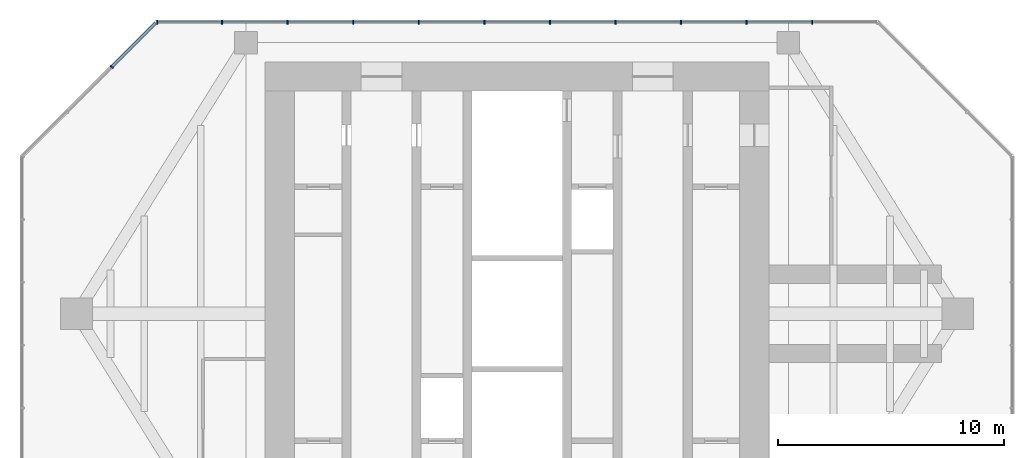
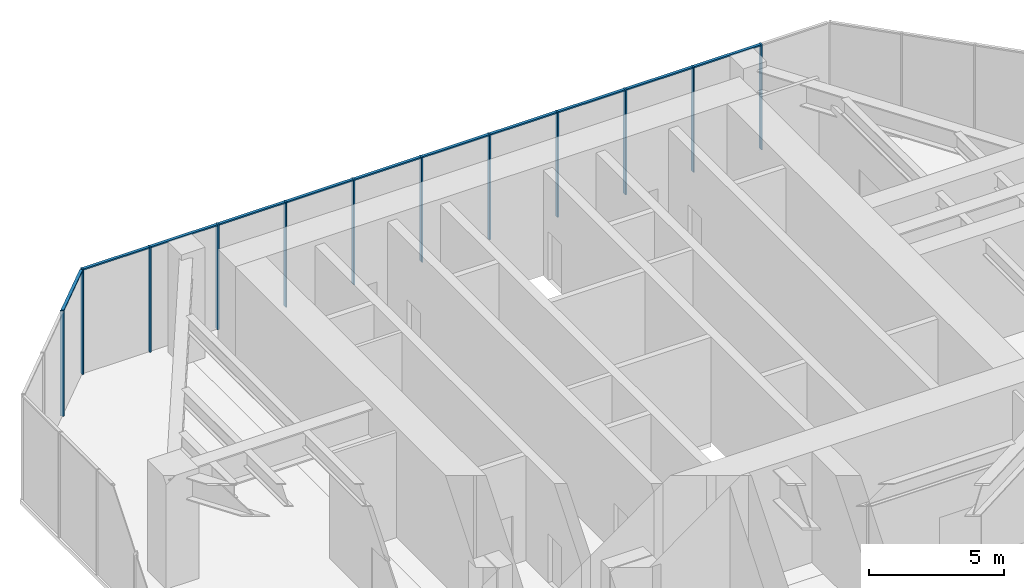
# One storey, part 6 of 10: 23 members, 2 elements without a shape of their own.
"""IFC4 building model written with IfcOpenShell, lengths in metres."""

import ifcopenshell
import ifcopenshell.guid

model = None  # the IFC model being written
_history = None  # IfcOwnerHistory: only IFC2X3 demands one
_inside = {}  # id of a spatial element -> (the spatial element, [elements in it])
_under = {}  # id of a project, library or spatial element -> (it, [spatial elements below it])
_declared = {}  # id of a project -> (the project, [libraries it declares])
_typed = {}  # id of a type object -> (the type object, [elements of that type])
_made_of = {}  # id of a material, layer set ... -> (it, [elements and type objects made of it])


def new_model(schema):
    """Start an empty IFC model of exactly this schema.

    Asked for "IFC4X3", IfcOpenShell would pick the latest addendum, in which some entities
    have other attributes; the version numbers below select the first issue.
    IFC2X3 requires an IfcOwnerHistory on every rooted entity: one is made here for all.
    """
    global model, _history
    if schema == "IFC4X3":
        model = ifcopenshell.file(schema_version=(4, 3, 0, 0))
    else:
        model = ifcopenshell.file(schema=schema)
    _inside.clear()
    _under.clear()
    _declared.clear()
    _typed.clear()
    _made_of.clear()
    _history = None
    if model.schema == "IFC2X3":
        org = make("IfcOrganization", Name="unknown")
        user = make(
            "IfcPersonAndOrganization",
            ThePerson=make("IfcPerson", FamilyName="unknown"),
            TheOrganization=org,
        )
        app = make(
            "IfcApplication",
            ApplicationDeveloper=org,
            Version="unknown",
            ApplicationFullName="unknown",
            ApplicationIdentifier="unknown",
        )
        _history = make(
            "IfcOwnerHistory",
            OwningUser=user,
            OwningApplication=app,
            ChangeAction="ADDED",
            CreationDate=0,
        )
    return model


def make(cls, **values):
    """One entity of the class cls with the attributes given. An attribute that is None is left unset."""
    return model.create_entity(
        cls, **{name: value for name, value in values.items() if value is not None}
    )


def rooted(cls, **values):
    """An entity with a GlobalId (a new one), such as an element, a storey or a relation."""
    return make(cls, GlobalId=ifcopenshell.guid.new(), OwnerHistory=_history, **values)


def si_unit(unit_type, name, prefix=None):
    """IfcSIUnit, for example si_unit("LENGTHUNIT", "METRE", prefix="MILLI")."""
    return make("IfcSIUnit", UnitType=unit_type, Prefix=prefix, Name=name)


def assignment(units):
    """IfcUnitAssignment: the units of a project."""
    return None if units is None else make("IfcUnitAssignment", Units=units)


def point(xyz):
    """IfcCartesianPoint."""
    return None if xyz is None else make("IfcCartesianPoint", Coordinates=xyz)


def direction(xyz):
    """IfcDirection."""
    return None if xyz is None else make("IfcDirection", DirectionRatios=xyz)


def frame(location, z_axis=None, x_axis=None):
    """IfcAxis2Placement3D, a coordinate frame: its origin and axes. An axis left out is left unset."""
    return make(
        "IfcAxis2Placement3D",
        Location=point(location),
        Axis=direction(z_axis),
        RefDirection=direction(x_axis),
    )


def frame_2d(location, x_axis=None):
    """IfcAxis2Placement2D, a coordinate frame in the plane: its origin and x axis."""
    return make(
        "IfcAxis2Placement2D", Location=point(location), RefDirection=direction(x_axis)
    )


def origin():
    """The frame at (0, 0, 0) with its axes left unset."""
    return frame((0.0, 0.0, 0.0))


def origin_2d():
    """The frame at (0, 0) in the plane with its x axis left unset."""
    return frame_2d((0.0, 0.0))


def place(relative_to, where):
    """IfcLocalPlacement: puts the frame where relative to a parent placement (None: the world)."""
    return make(
        "IfcLocalPlacement", PlacementRelTo=relative_to, RelativePlacement=where
    )


def context(
    kind, dimensions, precision=None, world=None, true_north=None, identifier=None
):
    """IfcGeometricRepresentationContext, for example the 3D "Model" context."""
    return make(
        "IfcGeometricRepresentationContext",
        ContextIdentifier=identifier,
        ContextType=kind,
        CoordinateSpaceDimension=dimensions,
        Precision=precision,
        WorldCoordinateSystem=world,
        TrueNorth=true_north,
    )


def subcontext(parent, identifier, kind, view, scale=None):
    """IfcGeometricRepresentationSubContext, for example "Body" below "Model"."""
    return make(
        "IfcGeometricRepresentationSubContext",
        ContextIdentifier=identifier,
        ContextType=kind,
        ParentContext=parent,
        TargetScale=scale,
        TargetView=view,
    )


def project(units=None, contexts=None):
    """IfcProject with its units and contexts."""
    return rooted(
        "IfcProject",
        Name="project",
        RepresentationContexts=contexts,
        UnitsInContext=assignment(units),
    )


def spatial(cls, under=None, at=None, **own):
    """A site, building, storey or space (cls), placed at a placement, below another one or the project."""
    s = rooted(cls, ObjectPlacement=at, **own)
    if under is not None:
        _under.setdefault(under.id(), (under, []))[1].append(s)
    return s


def profile(cls, at=None, kind="AREA", **sizes):
    """A parametric profile (cls). Its sizes go by their IFC names, for example OverallWidth=200.0."""
    return make(cls, ProfileType=kind, Position=at, **sizes)


def rectangle(**sizes):
    """IfcRectangleProfileDef."""
    return profile("IfcRectangleProfileDef", **sizes)


def extrude(swept, where, along, depth):
    """IfcExtrudedAreaSolid: the profile swept, set in the frame where, extruded along a direction by depth."""
    return make(
        "IfcExtrudedAreaSolid",
        SweptArea=swept,
        Position=where,
        ExtrudedDirection=direction(along),
        Depth=depth,
    )


def shape(context_of_items, identifier, shape_type, items):
    """IfcShapeRepresentation: the items that make up one representation, for example the "Body"."""
    return make(
        "IfcShapeRepresentation",
        ContextOfItems=context_of_items,
        RepresentationIdentifier=identifier,
        RepresentationType=shape_type,
        Items=items,
    )


def material(Name=None, Category=None):
    """IfcMaterial."""
    return make("IfcMaterial", Name=Name, Category=Category)


def material_profile(
    of_material, cross_section, Name=None, Category=None, Priority=None
):
    """IfcMaterialProfile: a cross section and its material."""
    return make(
        "IfcMaterialProfile",
        Name=Name,
        Material=of_material,
        Profile=cross_section,
        Priority=Priority,
        Category=Category,
    )


def profile_set(profiles, Name=None, composite=None):
    """IfcMaterialProfileSet."""
    return make(
        "IfcMaterialProfileSet",
        Name=Name,
        MaterialProfiles=profiles,
        CompositeProfile=composite,
    )


def made_of(thing, what):
    """Note that an element or type object is made of a material, layer set ...; save() writes the relation."""
    if what is not None:
        _made_of.setdefault(what.id(), (what, []))[1].append(thing)
    return thing


def type_object(cls, material=None, **own):
    """A type object (cls), such as IfcWallType, which elements share."""
    return made_of(rooted(cls, **own), material)


def element(
    cls,
    number,
    at=None,
    inside=None,
    cuts=None,
    type_object=None,
    material=None,
    context=None,
    identifier="Body",
    shape_type=None,
    held_by="IfcProductDefinitionShape",
    body=None,
    shapes=None,
    **own,
):
    """One element of the class cls, such as IfcWall. Its Tag is "e" and its number.

    at: its placement. inside: the storey or other place that contains it. cuts: it is an
    opening in that element (IfcRelVoidsElement). A single representation is given by context,
    identifier, shape_type and body (its items); several are given by shapes. held_by: the class
    of the entity that holds the representations. save() writes the other relations.
    """
    e = rooted(cls, Tag="e%d" % number, ObjectPlacement=at, **own)
    if body is not None:
        shapes = [shape(context, identifier, shape_type, body)]
    if shapes is not None:
        e.Representation = make(held_by, Representations=shapes)
    if inside is not None:
        _inside.setdefault(inside.id(), (inside, []))[1].append(e)
    if cuts is not None:
        rooted(
            "IfcRelVoidsElement", RelatingBuildingElement=cuts, RelatedOpeningElement=e
        )
    if type_object is not None:
        _typed.setdefault(type_object.id(), (type_object, []))[1].append(e)
    return made_of(e, material)


def aggregate(whole, parts):
    """IfcRelAggregates: a whole, such as a stair, and the parts it consists of."""
    return rooted("IfcRelAggregates", RelatingObject=whole, RelatedObjects=parts)


def save(model, path):
    """Write the relations noted so far, then the file.

    IfcRelAggregates (storeys below a building ...), IfcRelContainedInSpatialStructure (elements
    in a storey), IfcRelDefinesByType, IfcRelAssociatesMaterial and IfcRelDeclares: one each for
    every whole, place, type object, material and project.
    """
    for whole, parts in _under.values():
        aggregate(whole, parts)
    for where, things in _inside.values():
        rooted(
            "IfcRelContainedInSpatialStructure",
            RelatedElements=things,
            RelatingStructure=where,
        )
    for kind, things in _typed.values():
        rooted("IfcRelDefinesByType", RelatedObjects=things, RelatingType=kind)
    for what, things in _made_of.values():
        rooted("IfcRelAssociatesMaterial", RelatedObjects=things, RelatingMaterial=what)
    for by, libraries in _declared.values():
        rooted("IfcRelDeclares", RelatingContext=by, RelatedDefinitions=libraries)
    model.write(path)


model = new_model("IFC4")

# Units and contexts
model_context = context("Model", 3, precision=1e-05, world=origin(), true_north=direction((0.0, 1.0)))
body_context = subcontext(model_context, "Body", "Model", "MODEL_VIEW")
ifc_project = project(units=[si_unit("LENGTHUNIT", "METRE"), si_unit("AREAUNIT", "SQUARE_METRE"), si_unit("VOLUMEUNIT", "CUBIC_METRE"), si_unit("PLANEANGLEUNIT", "RADIAN"), si_unit("MASSUNIT", "GRAM", prefix="KILO")], contexts=[model_context])

# Site, building, storey
site_placement = place(None, origin())
site = spatial("IfcSite", under=ifc_project, at=site_placement, CompositionType="ELEMENT")
building_placement = place(site_placement, origin())
building = spatial("IfcBuilding", under=site, at=building_placement, Name="Mizan Broadcast Tower", CompositionType="ELEMENT")
storey_placement = place(building_placement, frame((0.0, 0.0, 311.300048828125)))
storey = spatial("IfcBuildingStorey", under=building, at=storey_placement, Name="L74", CompositionType="ELEMENT", Elevation=311.300048828125)

# Curtain wall, members
ifc_material_1 = material(Name="Aluminium framed glazing", Category="aluminium")
curtain_wall_type = type_object("IfcCurtainWallType", Name="LANTERN", PredefinedType="USERDEFINED", material=ifc_material_1)
curtain_wall_1_placement = place(storey_placement, origin())
curtain_wall_1 = element("IfcCurtainWall", 1, at=curtain_wall_1_placement, inside=storey, type_object=curtain_wall_type, Name="Lantern L74 N end", ObjectType="LANTERN", PredefinedType="USERDEFINED")
ifc_material_2 = material(Name="Aluminium, pale anodised", Category="aluminium")
ifc_material_profile_1 = material_profile(ifc_material_2, rectangle(XDim=0.159912109375, YDim=0.06005859375, at=origin_2d()), Name="MULLION 160x60")
ifc_profile_set_1 = profile_set([ifc_material_profile_1], Name="Aluminium, pale anodised")
member_type_1 = type_object("IfcMemberType", Name="INNER SKIN MULLION 60x160", PredefinedType="MULLION", material=ifc_profile_set_1)
member_1_placement = place(storey_placement, frame((13.05712890625, 12.89990234375, 0.0), z_axis=(0.0, 0.0, 1.0), x_axis=(0.0, -1.0, 0.0)))
member_1 = element("IfcMember", 2, at=member_1_placement, type_object=member_type_1, Name="Lantern L74 N end mullion 2", PredefinedType="MULLION", context=body_context, shape_type="SweptSolid", body=[
    extrude(rectangle(XDim=0.159912109375, YDim=0.06005859375, at=origin_2d()), origin(), (0.0, 0.0, 1.0), 4.75),
])
member_2_placement = place(storey_placement, frame((10.155517578125, 12.89990234375, 0.0), z_axis=(0.0, 0.0, 1.0), x_axis=(0.0, -1.0, 0.0)))
member_2 = element("IfcMember", 3, at=member_2_placement, type_object=member_type_1, Name="Lantern L74 N end mullion 3", PredefinedType="MULLION", context=body_context, shape_type="SweptSolid", body=[
    extrude(rectangle(XDim=0.159912109375, YDim=0.06005859375, at=origin_2d()), origin(), (0.0, 0.0, 1.0), 4.75),
])
member_3_placement = place(storey_placement, frame((7.25390625, 12.89990234375, 0.0), z_axis=(0.0, 0.0, 1.0), x_axis=(0.0, -1.0, 0.0)))
member_3 = element("IfcMember", 4, at=member_3_placement, type_object=member_type_1, Name="Lantern L74 N end mullion 4", PredefinedType="MULLION", context=body_context, shape_type="SweptSolid", body=[
    extrude(rectangle(XDim=0.159912109375, YDim=0.06005859375, at=origin_2d()), origin(), (0.0, 0.0, 1.0), 4.75),
])
member_4_placement = place(storey_placement, frame((4.352294921875, 12.89990234375, 0.0), z_axis=(0.0, 0.0, 1.0), x_axis=(0.0, -1.0, 0.0)))
member_4 = element("IfcMember", 5, at=member_4_placement, type_object=member_type_1, Name="Lantern L74 N end mullion 5", PredefinedType="MULLION", context=body_context, shape_type="SweptSolid", body=[
    extrude(rectangle(XDim=0.159912109375, YDim=0.06005859375, at=origin_2d()), origin(), (0.0, 0.0, 1.0), 4.75),
])
member_5_placement = place(storey_placement, frame((1.45068359375, 12.89990234375, 0.0), z_axis=(0.0, 0.0, 1.0), x_axis=(0.0, -1.0, 0.0)))
member_5 = element("IfcMember", 6, at=member_5_placement, type_object=member_type_1, Name="Lantern L74 N end mullion 6", PredefinedType="MULLION", context=body_context, shape_type="SweptSolid", body=[
    extrude(rectangle(XDim=0.159912109375, YDim=0.06005859375, at=origin_2d()), origin(), (0.0, 0.0, 1.0), 4.75),
])
member_6_placement = place(storey_placement, frame((-1.45068359375, 12.89990234375, 0.0), z_axis=(0.0, 0.0, 1.0), x_axis=(0.0, -1.0, 0.0)))
member_6 = element("IfcMember", 7, at=member_6_placement, type_object=member_type_1, Name="Lantern L74 N end mullion 7", PredefinedType="MULLION", context=body_context, shape_type="SweptSolid", body=[
    extrude(rectangle(XDim=0.159912109375, YDim=0.06005859375, at=origin_2d()), origin(), (0.0, 0.0, 1.0), 4.75),
])
member_7_placement = place(storey_placement, frame((-4.352294921875, 12.89990234375, 0.0), z_axis=(0.0, 0.0, 1.0), x_axis=(0.0, -1.0, 0.0)))
member_7 = element("IfcMember", 8, at=member_7_placement, type_object=member_type_1, Name="Lantern L74 N end mullion 8", PredefinedType="MULLION", context=body_context, shape_type="SweptSolid", body=[
    extrude(rectangle(XDim=0.159912109375, YDim=0.06005859375, at=origin_2d()), origin(), (0.0, 0.0, 1.0), 4.75),
])
member_8_placement = place(storey_placement, frame((-7.25390625, 12.89990234375, 0.0), z_axis=(0.0, 0.0, 1.0), x_axis=(0.0, -1.0, 0.0)))
member_8 = element("IfcMember", 9, at=member_8_placement, type_object=member_type_1, Name="Lantern L74 N end mullion 9", PredefinedType="MULLION", context=body_context, shape_type="SweptSolid", body=[
    extrude(rectangle(XDim=0.159912109375, YDim=0.06005859375, at=origin_2d()), origin(), (0.0, 0.0, 1.0), 4.75),
])
member_9_placement = place(storey_placement, frame((-10.155517578125, 12.89990234375, 0.0), z_axis=(0.0, 0.0, 1.0), x_axis=(0.0, -1.0, 0.0)))
member_9 = element("IfcMember", 10, at=member_9_placement, type_object=member_type_1, Name="Lantern L74 N end mullion 10", PredefinedType="MULLION", context=body_context, shape_type="SweptSolid", body=[
    extrude(rectangle(XDim=0.159912109375, YDim=0.06005859375, at=origin_2d()), origin(), (0.0, 0.0, 1.0), 4.75),
])
member_10_placement = place(storey_placement, frame((-13.05712890625, 12.89990234375, 0.0), z_axis=(0.0, 0.0, 1.0), x_axis=(0.0, -1.0, 0.0)))
member_10 = element("IfcMember", 11, at=member_10_placement, type_object=member_type_1, Name="Lantern L74 N end mullion 11", PredefinedType="MULLION", context=body_context, shape_type="SweptSolid", body=[
    extrude(rectangle(XDim=0.159912109375, YDim=0.06005859375, at=origin_2d()), origin(), (0.0, 0.0, 1.0), 4.75),
])
member_11_placement = place(storey_placement, frame((-15.928466796875, 12.89990234375, 0.0), z_axis=(0.0, 0.0, 1.0), x_axis=(0.0, -1.0, 0.0)))
member_11 = element("IfcMember", 12, at=member_11_placement, type_object=member_type_1, Name="Lantern L74 N end mullion 12", PredefinedType="MULLION", context=body_context, shape_type="SweptSolid", body=[
    extrude(rectangle(XDim=0.159912109375, YDim=0.06005859375, at=origin_2d()), origin(), (0.0, 0.0, 1.0), 4.75),
])

# Curtain wall, member
curtain_wall_2_placement = place(storey_placement, origin())
curtain_wall_2 = element("IfcCurtainWall", 13, at=curtain_wall_2_placement, inside=storey, type_object=curtain_wall_type, Name="Lantern L74 W chamfer", ObjectType="LANTERN", PredefinedType="USERDEFINED")
member_12_placement = place(storey_placement, frame((-17.93896484375, 10.91943359375, 0.0), z_axis=(0.0, 0.0, 1.0), x_axis=(0.707106781187, -0.707106781187, 0.0)))
member_12 = element("IfcMember", 14, at=member_12_placement, type_object=member_type_1, Name="Lantern L74 W chamfer mullion 2", PredefinedType="MULLION", context=body_context, shape_type="SweptSolid", body=[
    extrude(rectangle(XDim=0.159912109375, YDim=0.06005859375, at=origin_2d()), origin(), (0.0, 0.0, 1.0), 4.75),
])

# Member
ifc_material_3 = material(Name="Aluminium, pale anodised", Category="aluminium")
ifc_material_profile_2 = material_profile(ifc_material_3, rectangle(XDim=0.1201171875, YDim=0.06005859375, at=origin_2d()), Name="TRANSOM 120x60")
ifc_profile_set_2 = profile_set([ifc_material_profile_2], Name="Aluminium, pale anodised")
member_type_2 = type_object("IfcMemberType", Name="INNER SKIN TRANSOM 60x120", PredefinedType="USERDEFINED", material=ifc_profile_set_2)
member_13_placement = place(storey_placement, frame((13.027099609375, 12.89990234375, 4.719970703125), z_axis=(-1.0, 0.0, 0.0), x_axis=(0.0, -1.0, 0.0)))
member_13 = element("IfcMember", 15, at=member_13_placement, type_object=member_type_2, Name="Lantern L74 N end transom 2.1", ObjectType="TRANSOM", PredefinedType="USERDEFINED", context=body_context, shape_type="SweptSolid", body=[
    extrude(rectangle(XDim=0.1201171875, YDim=0.06005859375, at=origin_2d()), origin(), (0.0, 0.0, 1.0), 2.841552734375),
])

member_14_placement = place(storey_placement, frame((10.12548828125, 12.89990234375, 4.719970703125), z_axis=(-1.0, 0.0, 0.0), x_axis=(0.0, -1.0, 0.0)))
member_14 = element("IfcMember", 16, at=member_14_placement, type_object=member_type_2, Name="Lantern L74 N end transom 3.1", ObjectType="TRANSOM", PredefinedType="USERDEFINED", context=body_context, shape_type="SweptSolid", body=[
    extrude(rectangle(XDim=0.1201171875, YDim=0.06005859375, at=origin_2d()), origin(), (0.0, 0.0, 1.0), 2.841552734375),
])

member_15_placement = place(storey_placement, frame((7.223876953125, 12.89990234375, 4.719970703125), z_axis=(-1.0, 0.0, 0.0), x_axis=(0.0, -1.0, 0.0)))
member_15 = element("IfcMember", 17, at=member_15_placement, type_object=member_type_2, Name="Lantern L74 N end transom 4.1", ObjectType="TRANSOM", PredefinedType="USERDEFINED", context=body_context, shape_type="SweptSolid", body=[
    extrude(rectangle(XDim=0.1201171875, YDim=0.06005859375, at=origin_2d()), origin(), (0.0, 0.0, 1.0), 2.841552734375),
])

member_16_placement = place(storey_placement, frame((4.322265625, 12.89990234375, 4.719970703125), z_axis=(-1.0, 0.0, 0.0), x_axis=(0.0, -1.0, 0.0)))
member_16 = element("IfcMember", 18, at=member_16_placement, type_object=member_type_2, Name="Lantern L74 N end transom 5.1", ObjectType="TRANSOM", PredefinedType="USERDEFINED", context=body_context, shape_type="SweptSolid", body=[
    extrude(rectangle(XDim=0.1201171875, YDim=0.06005859375, at=origin_2d()), origin(), (0.0, 0.0, 1.0), 2.841552734375),
])

member_17_placement = place(storey_placement, frame((1.4208984375, 12.89990234375, 4.719970703125), z_axis=(-1.0, 0.0, 0.0), x_axis=(0.0, -1.0, 0.0)))
member_17 = element("IfcMember", 19, at=member_17_placement, type_object=member_type_2, Name="Lantern L74 N end transom 6.1", ObjectType="TRANSOM", PredefinedType="USERDEFINED", context=body_context, shape_type="SweptSolid", body=[
    extrude(rectangle(XDim=0.1201171875, YDim=0.06005859375, at=origin_2d()), origin(), (0.0, 0.0, 1.0), 2.841796875),
])

member_18_placement = place(storey_placement, frame((-1.480712890625, 12.89990234375, 4.719970703125), z_axis=(-1.0, 0.0, 0.0), x_axis=(0.0, -1.0, 0.0)))
member_18 = element("IfcMember", 20, at=member_18_placement, type_object=member_type_2, Name="Lantern L74 N end transom 7.1", ObjectType="TRANSOM", PredefinedType="USERDEFINED", context=body_context, shape_type="SweptSolid", body=[
    extrude(rectangle(XDim=0.1201171875, YDim=0.06005859375, at=origin_2d()), origin(), (0.0, 0.0, 1.0), 2.841552734375),
])

member_19_placement = place(storey_placement, frame((-4.38232421875, 12.89990234375, 4.719970703125), z_axis=(-1.0, 0.0, 0.0), x_axis=(0.0, -1.0, 0.0)))
member_19 = element("IfcMember", 21, at=member_19_placement, type_object=member_type_2, Name="Lantern L74 N end transom 8.1", ObjectType="TRANSOM", PredefinedType="USERDEFINED", context=body_context, shape_type="SweptSolid", body=[
    extrude(rectangle(XDim=0.1201171875, YDim=0.06005859375, at=origin_2d()), origin(), (0.0, 0.0, 1.0), 2.841552734375),
])

member_20_placement = place(storey_placement, frame((-7.283935546875, 12.89990234375, 4.719970703125), z_axis=(-1.0, 0.0, 0.0), x_axis=(0.0, -1.0, 0.0)))
member_20 = element("IfcMember", 22, at=member_20_placement, type_object=member_type_2, Name="Lantern L74 N end transom 9.1", ObjectType="TRANSOM", PredefinedType="USERDEFINED", context=body_context, shape_type="SweptSolid", body=[
    extrude(rectangle(XDim=0.1201171875, YDim=0.06005859375, at=origin_2d()), origin(), (0.0, 0.0, 1.0), 2.841552734375),
])

member_21_placement = place(storey_placement, frame((-10.185546875, 12.89990234375, 4.719970703125), z_axis=(-1.0, 0.0, 0.0), x_axis=(0.0, -1.0, 0.0)))
member_21 = element("IfcMember", 23, at=member_21_placement, type_object=member_type_2, Name="Lantern L74 N end transom 10.1", ObjectType="TRANSOM", PredefinedType="USERDEFINED", context=body_context, shape_type="SweptSolid", body=[
    extrude(rectangle(XDim=0.1201171875, YDim=0.06005859375, at=origin_2d()), origin(), (0.0, 0.0, 1.0), 2.841552734375),
])

member_22_placement = place(storey_placement, frame((-13.0869140625, 12.89990234375, 4.719970703125), z_axis=(-1.0, 0.0, 0.0), x_axis=(0.0, -1.0, 0.0)))
member_22 = element("IfcMember", 24, at=member_22_placement, type_object=member_type_2, Name="Lantern L74 N end transom 11.1", ObjectType="TRANSOM", PredefinedType="USERDEFINED", context=body_context, shape_type="SweptSolid", body=[
    extrude(rectangle(XDim=0.1201171875, YDim=0.06005859375, at=origin_2d()), origin(), (0.0, 0.0, 1.0), 2.811767578125),
])

aggregate(curtain_wall_1, [member_1, member_2, member_3, member_4, member_5, member_6, member_7, member_8, member_9, member_10, member_11, member_13, member_14, member_15, member_16, member_17, member_18, member_19, member_20, member_21, member_22])

member_23_placement = place(storey_placement, frame((-16.0009765625, 12.857666015625, 4.719970703125), z_axis=(-0.707061749709, -0.707151809797, 0.0), x_axis=(0.707151809797, -0.707061749709, 0.0)))
member_23 = element("IfcMember", 25, at=member_23_placement, type_object=member_type_2, Name="Lantern L74 W chamfer transom 1.1", ObjectType="TRANSOM", PredefinedType="USERDEFINED", context=body_context, shape_type="SweptSolid", body=[
    extrude(rectangle(XDim=0.1201171875, YDim=0.06005859375, at=origin_2d()), origin(), (0.0, 0.0, 1.0), 2.7109375),
])

aggregate(curtain_wall_2, [member_12, member_23])

save(model, "model.ifc")
